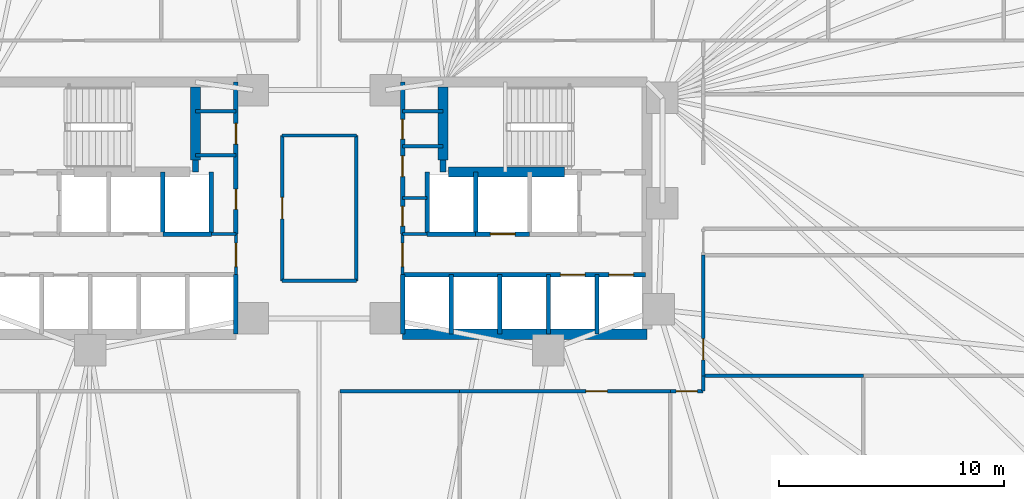
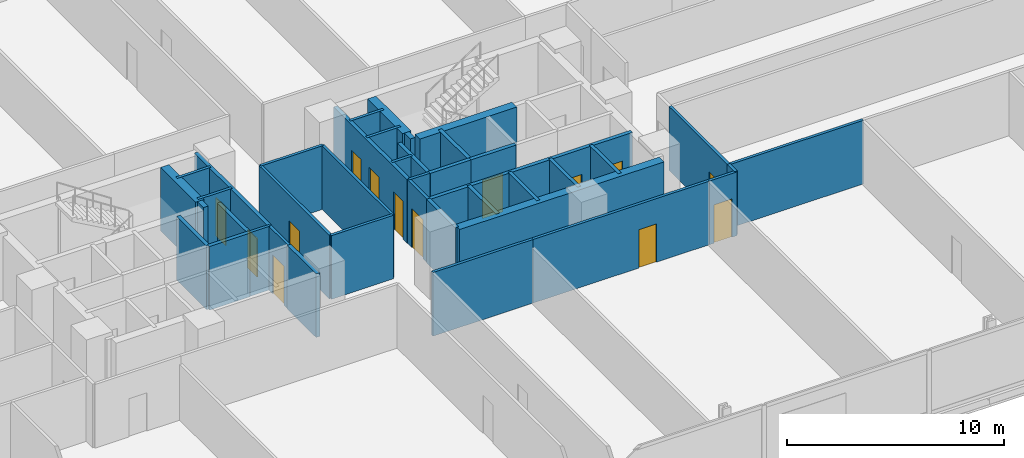
# One storey, part 13 of 17: 41 walls, 14 doors, 14 openings.
"""IFC4 building model written with IfcOpenShell, lengths in metres."""

from ifc_helpers import new_model, si_unit, direction, frame, frame_2d, origin, place, context, subcontext, project, spatial, rectangle, extrude, material, layer, layer_set, type_object, element, fill, save


model = new_model("IFC4")

# Units and contexts
model_context = context("Model", 3, precision=1e-05, world=origin(), true_north=direction((0.0, 1.0)))
body_context = subcontext(model_context, "Body", "Model", "MODEL_VIEW")
ifc_project = project(units=[si_unit("LENGTHUNIT", "METRE"), si_unit("AREAUNIT", "SQUARE_METRE"), si_unit("VOLUMEUNIT", "CUBIC_METRE"), si_unit("PLANEANGLEUNIT", "RADIAN"), si_unit("MASSUNIT", "GRAM", prefix="KILO")], contexts=[model_context])

# Site, building, storey
site_placement = place(None, origin())
site = spatial("IfcSite", under=ifc_project, at=site_placement, CompositionType="ELEMENT")
building_placement = place(site_placement, origin())
building = spatial("IfcBuilding", under=site, at=building_placement, Name="Menara Jurai Vektor", CompositionType="ELEMENT")
storey_placement = place(building_placement, frame((0.0, 0.0, 63.60009765625)))
storey = spatial("IfcBuildingStorey", under=building, at=storey_placement, Name="L15", CompositionType="ELEMENT", Elevation=63.60009765625)

# Walls
ifc_material_1 = material(Name="Concrete C40/50", Category="concrete")
ifc_layer_1 = layer(ifc_material_1, 0.25)
ifc_layer_set_1 = layer_set([ifc_layer_1], Name="Concrete C40/50")
wall_type_1 = type_object("IfcWallType", Name="INT-WALL-CORE-250", PredefinedType="STANDARD", material=ifc_layer_set_1)
for number, where, z_axis, x_axis, name in (
    (1, (-5.5, 1.60009765625, 0.0), (0.0, 0.0, 1.0), (0.0, 1.0, 0.0), "Interior Wall IW-250 L15"),
    (2, (5.5, 1.60009765625, 0.0), (0.0, 0.0, 1.0), (0.0, 1.0, 0.0), "Interior Wall IW-250 L15"),
):
    element("IfcWall", number, at=place(storey_placement, frame(where, z_axis=z_axis, x_axis=x_axis)), inside=storey, type_object=wall_type_1, Name=name, PredefinedType="STANDARD", context=body_context, shape_type="SweptSolid", body=[
        extrude(rectangle(XDim=0.5498046875, YDim=0.25, at=frame_2d((0.27490234375, 0.0))), origin(), (0.0, 0.0, 1.0), 3.574951171875),
    ])

# Wall, opening, door
ifc_material_2 = material(Name="Gypsum Fireboard Partition", Category="gypsum")
ifc_layer_2 = layer(ifc_material_2, 0.14990234375)
ifc_layer_set_2 = layer_set([ifc_layer_2], Name="Gypsum Fireboard Partition")
wall_type_2 = type_object("IfcWallType", Name="INT-WALL-CORR-150", PredefinedType="PARTITIONING", material=ifc_layer_set_2)
wall_1_placement = place(storey_placement, frame((-3.699951171875, -2.949951171875, 0.0), z_axis=(0.0, 0.0, 1.0), x_axis=(0.0, 1.0, 0.0)))
wall_1 = element("IfcWall", 3, at=wall_1_placement, inside=storey, type_object=wall_type_2, Name="Interior Wall IW-150 L15", PredefinedType="PARTITIONING", context=body_context, shape_type="SweptSolid", body=[
    extrude(rectangle(XDim=1.800048828125, YDim=0.14990234375, at=frame_2d((0.89990234375, 0.0))), origin(), (0.0, 0.0, 1.0), 3.574951171875),
])
opening_1_placement = place(wall_1_placement, frame((0.35009765625, 0.0, 0.0)))
opening_1 = element("IfcOpeningElement", 4, at=opening_1_placement, cuts=wall_1, Name="Opening D-L15-LLW", PredefinedType="OPENING", context=body_context, shape_type="SweptSolid", body=[
    extrude(rectangle(XDim=1.050048828125, YDim=2.179931640625, at=frame_2d((0.52490234375, 1.08984375))), frame((0.0, 0.0849609375, 0.0), z_axis=(0.0, -1.0, 0.0), x_axis=(1.0, 0.0, 0.0)), (0.0, 0.0, 1.0), 0.169921875),
])
ifc_material_3 = material(Name="Fire-Rated Timber Door", Category="wood")
door_type_1 = type_object("IfcDoorType", Name="DR-LOBBY-1050", OperationType="NOTDEFINED", PredefinedType="DOOR", material=ifc_material_3)
door_1_placement = place(opening_1_placement, origin())
door_1 = element("IfcDoor", 5, at=door_1_placement, inside=storey, type_object=door_type_1, Name="Lift Lobby Corridor Door W L15", OperationType="SINGLE_SWING_LEFT", OverallHeight=2.179931640625, OverallWidth=1.050048828125, PredefinedType="DOOR", context=body_context, shape_type="SweptSolid", body=[
    extrude(rectangle(XDim=1.050048828125, YDim=2.179931640625, at=frame_2d((0.52490234375, 1.08984375))), frame((0.0, 0.02490234375, 0.0), z_axis=(0.0, -1.0, 0.0), x_axis=(1.0, 0.0, 0.0)), (0.0, 0.0, 1.0), 0.050048828125),
])
fill(opening_1, door_1)

# Wall
wall_2_placement = place(storey_placement, frame((-4.7900390625, -1.14990234375, 0.0), z_axis=(0.0, 0.0, 1.0), x_axis=(1.0, 0.0, 0.0)))
element("IfcWall", 6, at=wall_2_placement, inside=storey, type_object=wall_type_2, Name="Interior Wall IW-150 L15", PredefinedType="PARTITIONING", context=body_context, shape_type="SweptSolid", body=[
    extrude(rectangle(XDim=1.090087890625, YDim=0.14990234375, at=frame_2d((0.544921875, 0.0))), origin(), (0.0, 0.0, 1.0), 3.574951171875),
])

# Wall, opening, door
wall_3_placement = place(storey_placement, frame((3.699951171875, -2.949951171875, 0.0), z_axis=(0.0, 0.0, 1.0), x_axis=(0.0, 1.0, 0.0)))
wall_3 = element("IfcWall", 7, at=wall_3_placement, inside=storey, type_object=wall_type_2, Name="Interior Wall IW-150 L15", PredefinedType="PARTITIONING", context=body_context, shape_type="SweptSolid", body=[
    extrude(rectangle(XDim=1.800048828125, YDim=0.14990234375, at=frame_2d((0.89990234375, 0.0))), origin(), (0.0, 0.0, 1.0), 3.574951171875),
])
opening_2_placement = place(wall_3_placement, frame((0.35009765625, 0.0, 0.0)))
opening_2 = element("IfcOpeningElement", 8, at=opening_2_placement, cuts=wall_3, Name="Opening D-L15-LLE", PredefinedType="OPENING", context=body_context, shape_type="SweptSolid", body=[
    extrude(rectangle(XDim=1.050048828125, YDim=2.179931640625, at=frame_2d((0.52490234375, 1.08984375))), frame((0.0, 0.0849609375, 0.0), z_axis=(0.0, -1.0, 0.0), x_axis=(1.0, 0.0, 0.0)), (0.0, 0.0, 1.0), 0.169921875),
])
door_2_placement = place(opening_2_placement, frame((1.050048828125, 0.0, 0.0), z_axis=(0.0, 0.0, 1.0), x_axis=(-1.0, 0.0, 0.0)))
door_2 = element("IfcDoor", 9, at=door_2_placement, inside=storey, type_object=door_type_1, Name="Lift Lobby Corridor Door E L15", OperationType="SINGLE_SWING_RIGHT", OverallHeight=2.179931640625, OverallWidth=1.050048828125, PredefinedType="DOOR", context=body_context, shape_type="SweptSolid", body=[
    extrude(rectangle(XDim=1.050048828125, YDim=2.179931640625, at=frame_2d((0.52490234375, 1.08984375))), frame((0.0, 0.02490234375, 0.0), z_axis=(0.0, -1.0, 0.0), x_axis=(1.0, 0.0, 0.0)), (0.0, 0.0, 1.0), 0.050048828125),
])
fill(opening_2, door_2)

# Walls
wall_4_placement = place(storey_placement, frame((3.699951171875, -1.14990234375, 0.0), z_axis=(0.0, 0.0, 1.0), x_axis=(1.0, 0.0, 0.0)))
element("IfcWall", 10, at=wall_4_placement, inside=storey, type_object=wall_type_2, Name="Interior Wall IW-150 L15", PredefinedType="PARTITIONING", context=body_context, shape_type="SweptSolid", body=[
    extrude(rectangle(XDim=1.090087890625, YDim=0.14990234375, at=frame_2d((0.544921875, 0.0))), origin(), (0.0, 0.0, 1.0), 3.574951171875),
])
for number, where, z_axis, x_axis, name in (
    (11, (-5.5, 4.300048828125, 0.0), (0.0, 0.0, 1.0), (1.0, 0.0, 0.0), "Interior Wall IW-150 L15"),
    (12, (-5.5, 2.35009765625, 0.0), (0.0, 0.0, 1.0), (1.0, 0.0, 0.0), "Interior Wall IW-150 L15"),
    (13, (3.699951171875, 4.300048828125, 0.0), (0.0, 0.0, 1.0), (1.0, 0.0, 0.0), "Interior Wall IW-150 L15"),
):
    element("IfcWall", number, at=place(storey_placement, frame(where, z_axis=z_axis, x_axis=x_axis)), inside=storey, type_object=wall_type_2, Name=name, PredefinedType="PARTITIONING", context=body_context, shape_type="SweptSolid", body=[
        extrude(rectangle(XDim=1.800048828125, YDim=0.14990234375, at=frame_2d((0.89990234375, 0.0))), origin(), (0.0, 0.0, 1.0), 3.574951171875),
    ])
wall_5_placement = place(storey_placement, frame((3.699951171875, 0.449951171875, 0.0), z_axis=(0.0, 0.0, 1.0), x_axis=(1.0, 0.0, 0.0)))
element("IfcWall", 14, at=wall_5_placement, inside=storey, type_object=wall_type_2, Name="Interior Wall IW-150 L15", PredefinedType="PARTITIONING", context=body_context, shape_type="SweptSolid", body=[
    extrude(rectangle(XDim=1.090087890625, YDim=0.14990234375, at=frame_2d((0.544921875, 0.0))), origin(), (0.0, 0.0, 1.0), 3.574951171875),
])
wall_6_placement = place(storey_placement, frame((3.699951171875, 2.75, 0.0), z_axis=(0.0, 0.0, 1.0), x_axis=(1.0, 0.0, 0.0)))
element("IfcWall", 15, at=wall_6_placement, inside=storey, type_object=wall_type_2, Name="Interior Wall IW-150 L15", PredefinedType="PARTITIONING", context=body_context, shape_type="SweptSolid", body=[
    extrude(rectangle(XDim=1.800048828125, YDim=0.14990234375, at=frame_2d((0.89990234375, 0.0))), origin(), (0.0, 0.0, 1.0), 3.574951171875),
])

# Wall, opening, door
wall_7_placement = place(storey_placement, frame((-1.64990234375, -3.22998046875, 0.0), z_axis=(0.0, 0.0, 1.0), x_axis=(0.0, 1.0, 0.0)))
wall_7 = element("IfcWall", 16, at=wall_7_placement, inside=storey, type_object=wall_type_2, Name="Interior Wall IW-150 L15", PredefinedType="PARTITIONING", context=body_context, shape_type="SweptSolid", body=[
    extrude(rectangle(XDim=6.4599609375, YDim=0.14990234375, at=frame_2d((3.22998046875, 0.0))), origin(), (0.0, 0.0, 1.0), 3.574951171875),
])
opening_3_placement = place(wall_7_placement, frame((2.7548828125, 0.0, 0.0)))
opening_3 = element("IfcOpeningElement", 17, at=opening_3_placement, cuts=wall_7, Name="Opening D15-06", PredefinedType="OPENING", context=body_context, shape_type="SweptSolid", body=[
    extrude(rectangle(XDim=0.949951171875, YDim=2.14990234375, at=frame_2d((0.47509765625, 1.074951171875))), frame((0.0, 0.0849609375, 0.0), z_axis=(0.0, -1.0, 0.0), x_axis=(1.0, 0.0, 0.0)), (0.0, 0.0, 1.0), 0.169921875),
])
ifc_material_4 = material(Name="Solid Core Timber Fire Door", Category="wood")
door_type_2 = type_object("IfcDoorType", Name="DR-ENTRY-950", OperationType="NOTDEFINED", PredefinedType="DOOR", material=ifc_material_4)
door_3_placement = place(opening_3_placement, origin())
door_3 = element("IfcDoor", 18, at=door_3_placement, inside=storey, type_object=door_type_2, Name="Interior Door D15-06", OperationType="SINGLE_SWING_LEFT", OverallHeight=2.14990234375, OverallWidth=0.949951171875, PredefinedType="DOOR", context=body_context, shape_type="SweptSolid", body=[
    extrude(rectangle(XDim=0.949951171875, YDim=2.14990234375, at=frame_2d((0.47509765625, 1.074951171875))), frame((0.0, 0.02490234375, 0.0), z_axis=(0.0, -1.0, 0.0), x_axis=(1.0, 0.0, 0.0)), (0.0, 0.0, 1.0), 0.050048828125),
])
fill(opening_3, door_3)

# Walls
for number, where, z_axis, x_axis, name in (
    (19, (-1.64990234375, -3.22998046875, 0.0), (0.0, 0.0, 1.0), (1.0, 0.0, 0.0), "Interior Wall IW-150 L15"),
    (20, (-1.64990234375, 3.22998046875, 0.0), (0.0, 0.0, 1.0), (1.0, 0.0, 0.0), "Interior Wall IW-150 L15"),
):
    element("IfcWall", number, at=place(storey_placement, frame(where, z_axis=z_axis, x_axis=x_axis)), inside=storey, type_object=wall_type_2, Name=name, PredefinedType="PARTITIONING", context=body_context, shape_type="SweptSolid", body=[
        extrude(rectangle(XDim=3.2998046875, YDim=0.14990234375, at=frame_2d((1.64990234375, 0.0))), origin(), (0.0, 0.0, 1.0), 3.574951171875),
    ])
wall_8_placement = place(storey_placement, frame((1.64990234375, -3.22998046875, 0.0), z_axis=(0.0, 0.0, 1.0), x_axis=(0.0, 1.0, 0.0)))
element("IfcWall", 21, at=wall_8_placement, inside=storey, type_object=wall_type_2, Name="Interior Wall IW-150 L15", PredefinedType="PARTITIONING", context=body_context, shape_type="SweptSolid", body=[
    extrude(rectangle(XDim=6.4599609375, YDim=0.14990234375, at=frame_2d((3.22998046875, 0.0))), origin(), (0.0, 0.0, 1.0), 3.574951171875),
])
wall_9_placement = place(storey_placement, frame((0.919921875, -8.1298828125, 0.0), z_axis=(0.0, 0.0, 1.0), x_axis=(1.0, 0.0, 0.0)))
element("IfcWall", 22, at=wall_9_placement, inside=storey, type_object=wall_type_2, Name="Interior Wall IW-150 L15", PredefinedType="PARTITIONING", context=body_context, shape_type="SweptSolid", body=[
    extrude(rectangle(XDim=5.320068359375, YDim=0.14990234375, at=frame_2d((2.66015625, 0.0))), origin(), (0.0, 0.0, 1.0), 3.574951171875),
])

# Wall, opening, door
wall_10_placement = place(storey_placement, frame((6.239990234375, -8.1298828125, 0.0), z_axis=(0.0, 0.0, 1.0), x_axis=(1.0, 0.0, 0.0)))
wall_10 = element("IfcWall", 23, at=wall_10_placement, inside=storey, type_object=wall_type_2, Name="Interior Wall IW-150 L15", PredefinedType="PARTITIONING", context=body_context, shape_type="SweptSolid", body=[
    extrude(rectangle(XDim=9.360107421875, YDim=0.14990234375, at=frame_2d((4.68017578125, 0.0))), origin(), (0.0, 0.0, 1.0), 3.574951171875),
])
opening_4_placement = place(wall_10_placement, frame((5.60888671875, 0.0, 0.0)))
opening_4 = element("IfcOpeningElement", 24, at=opening_4_placement, cuts=wall_10, Name="Opening D15-16", PredefinedType="OPENING", context=body_context, shape_type="SweptSolid", body=[
    extrude(rectangle(XDim=0.949951171875, YDim=2.14990234375, at=frame_2d((0.47509765625, 1.074951171875))), frame((0.0, 0.0849609375, 0.0), z_axis=(0.0, -1.0, 0.0), x_axis=(1.0, 0.0, 0.0)), (0.0, 0.0, 1.0), 0.169921875),
])
door_4_placement = place(opening_4_placement, origin())
door_4 = element("IfcDoor", 25, at=door_4_placement, inside=storey, type_object=door_type_2, Name="Interior Door D15-16", OperationType="SINGLE_SWING_LEFT", OverallHeight=2.14990234375, OverallWidth=0.949951171875, PredefinedType="DOOR", context=body_context, shape_type="SweptSolid", body=[
    extrude(rectangle(XDim=0.949951171875, YDim=2.14990234375, at=frame_2d((0.47509765625, 1.074951171875))), frame((0.0, 0.02490234375, 0.0), z_axis=(0.0, -1.0, 0.0), x_axis=(1.0, 0.0, 0.0)), (0.0, 0.0, 1.0), 0.050048828125),
])
fill(opening_4, door_4)

wall_11_placement = place(storey_placement, frame((15.60009765625, -8.1298828125, 0.0), z_axis=(0.0, 0.0, 1.0), x_axis=(1.0, 0.0, 0.0)))
wall_11 = element("IfcWall", 26, at=wall_11_placement, inside=storey, type_object=wall_type_2, Name="Interior Wall IW-150 L15", PredefinedType="PARTITIONING", context=body_context, shape_type="SweptSolid", body=[
    extrude(rectangle(XDim=1.458984375, YDim=0.14990234375, at=frame_2d((0.7294921875, 0.0))), origin(), (0.0, 0.0, 1.0), 3.574951171875),
])
opening_5_placement = place(wall_11_placement, frame((0.25439453125, 0.0, 0.0)))
opening_5 = element("IfcOpeningElement", 27, at=opening_5_placement, cuts=wall_11, Name="Opening D15-17", PredefinedType="OPENING", context=body_context, shape_type="SweptSolid", body=[
    extrude(rectangle(XDim=0.949951171875, YDim=2.14990234375, at=frame_2d((0.47509765625, 1.074951171875))), frame((0.0, 0.0849609375, 0.0), z_axis=(0.0, -1.0, 0.0), x_axis=(1.0, 0.0, 0.0)), (0.0, 0.0, 1.0), 0.169921875),
])
door_5_placement = place(opening_5_placement, origin())
door_5 = element("IfcDoor", 28, at=door_5_placement, inside=storey, type_object=door_type_2, Name="Interior Door D15-17", OperationType="SINGLE_SWING_RIGHT", OverallHeight=2.14990234375, OverallWidth=0.949951171875, PredefinedType="DOOR", context=body_context, shape_type="SweptSolid", body=[
    extrude(rectangle(XDim=0.949951171875, YDim=2.14990234375, at=frame_2d((0.47509765625, 1.074951171875))), frame((0.0, 0.02490234375, 0.0), z_axis=(0.0, -1.0, 0.0), x_axis=(1.0, 0.0, 0.0)), (0.0, 0.0, 1.0), 0.050048828125),
])
fill(opening_5, door_5)

# Wall
wall_12_placement = place(storey_placement, frame((17.05908203125, -8.1298828125, 0.0), z_axis=(0.0, 0.0, 1.0), x_axis=(0.0, 1.0, 0.0)))
element("IfcWall", 29, at=wall_12_placement, inside=storey, type_object=wall_type_2, Name="Interior Wall IW-150 L15", PredefinedType="PARTITIONING", context=body_context, shape_type="SweptSolid", body=[
    extrude(rectangle(XDim=0.679931640625, YDim=0.14990234375, at=frame_2d((0.33984375, 0.0))), origin(), (0.0, 0.0, 1.0), 3.574951171875),
])

# Wall, opening, door
wall_13_placement = place(storey_placement, frame((17.05908203125, -7.449951171875, 0.0), z_axis=(0.0, 0.0, 1.0), x_axis=(0.0, 1.0, 0.0)))
wall_13 = element("IfcWall", 30, at=wall_13_placement, inside=storey, type_object=wall_type_2, Name="Interior Wall IW-150 L15", PredefinedType="PARTITIONING", context=body_context, shape_type="SweptSolid", body=[
    extrude(rectangle(XDim=5.364013671875, YDim=0.14990234375, at=frame_2d((2.68212890625, 0.0))), origin(), (0.0, 0.0, 1.0), 3.574951171875),
])
opening_6_placement = place(wall_13_placement, frame((0.705078125, 0.0, 0.0)))
opening_6 = element("IfcOpeningElement", 31, at=opening_6_placement, cuts=wall_13, Name="Opening D15-21", PredefinedType="OPENING", context=body_context, shape_type="SweptSolid", body=[
    extrude(rectangle(XDim=0.949951171875, YDim=2.14990234375, at=frame_2d((0.47509765625, 1.074951171875))), frame((0.0, 0.0849609375, 0.0), z_axis=(0.0, -1.0, 0.0), x_axis=(1.0, 0.0, 0.0)), (0.0, 0.0, 1.0), 0.169921875),
])
door_6_placement = place(opening_6_placement, origin())
door_6 = element("IfcDoor", 32, at=door_6_placement, inside=storey, type_object=door_type_2, Name="Interior Door D15-21", OperationType="SINGLE_SWING_RIGHT", OverallHeight=2.14990234375, OverallWidth=0.949951171875, PredefinedType="DOOR", context=body_context, shape_type="SweptSolid", body=[
    extrude(rectangle(XDim=0.949951171875, YDim=2.14990234375, at=frame_2d((0.47509765625, 1.074951171875))), frame((0.0, 0.02490234375, 0.0), z_axis=(0.0, -1.0, 0.0), x_axis=(1.0, 0.0, 0.0)), (0.0, 0.0, 1.0), 0.050048828125),
])
fill(opening_6, door_6)

# Wall
wall_14_placement = place(storey_placement, frame((17.05908203125, -7.449951171875, 0.0), z_axis=(0.0, 0.0, 1.0), x_axis=(1.0, 0.0, 0.0)))
element("IfcWall", 33, at=wall_14_placement, inside=storey, type_object=wall_type_2, Name="Interior Wall IW-150 L15", PredefinedType="PARTITIONING", context=body_context, shape_type="SweptSolid", body=[
    extrude(rectangle(XDim=7.120849609375, YDim=0.14990234375, at=frame_2d((3.560546875, 0.0))), origin(), (0.0, 0.0, 1.0), 3.574951171875),
])

# Wall, openings, doors
ifc_layer_3 = layer(ifc_material_1, 0.199951171875)
ifc_layer_set_3 = layer_set([ifc_layer_3], Name="Concrete C40/50")
wall_type_3 = type_object("IfcWallType", Name="INT-WALL-SHAFT-200", PredefinedType="STANDARD", material=ifc_layer_set_3)
wall_15_placement = place(storey_placement, frame((-3.699951171875, -1.14990234375, 0.0), z_axis=(0.0, 0.0, 1.0), x_axis=(0.0, 1.0, 0.0)))
wall_15 = element("IfcWall", 34, at=wall_15_placement, inside=storey, type_object=wall_type_3, Name="Interior Wall IW-200 L15", PredefinedType="STANDARD", context=body_context, shape_type="SweptSolid", body=[
    extrude(rectangle(XDim=6.75, YDim=0.199951171875, at=frame_2d((3.375, 0.0))), origin(), (0.0, 0.0, 1.0), 3.574951171875),
])
opening_7_placement = place(wall_15_placement, frame((1.10009765625, 0.0, 0.0)))
opening_7 = element("IfcOpeningElement", 35, at=opening_7_placement, cuts=wall_15, Name="Opening D15-01", PredefinedType="OPENING", context=body_context, shape_type="SweptSolid", body=[
    extrude(rectangle(XDim=0.89990234375, YDim=2.14990234375, at=frame_2d((0.449951171875, 1.074951171875))), frame((0.0, 0.10986328125, 0.0), z_axis=(0.0, -1.0, 0.0), x_axis=(1.0, 0.0, 0.0)), (0.0, 0.0, 1.0), 0.219970703125),
])
opening_8_placement = place(wall_15_placement, frame((4.0, 0.0, 0.0)))
opening_8 = element("IfcOpeningElement", 36, at=opening_8_placement, cuts=wall_15, Name="Opening D15-02", PredefinedType="OPENING", context=body_context, shape_type="SweptSolid", body=[
    extrude(rectangle(XDim=0.919921875, YDim=2.14990234375, at=frame_2d((0.4599609375, 1.074951171875))), frame((0.0, 0.10986328125, 0.0), z_axis=(0.0, -1.0, 0.0), x_axis=(1.0, 0.0, 0.0)), (0.0, 0.0, 1.0), 0.219970703125),
])
door_7_placement = place(opening_7_placement, origin())
door_7 = element("IfcDoor", 37, at=door_7_placement, inside=storey, type_object=door_type_2, Name="Interior Door D15-01", OperationType="SINGLE_SWING_LEFT", OverallHeight=2.14990234375, OverallWidth=0.89990234375, PredefinedType="DOOR", context=body_context, shape_type="SweptSolid", body=[
    extrude(rectangle(XDim=0.89990234375, YDim=2.14990234375, at=frame_2d((0.449951171875, 1.074951171875))), frame((0.0, 0.02490234375, 0.0), z_axis=(0.0, -1.0, 0.0), x_axis=(1.0, 0.0, 0.0)), (0.0, 0.0, 1.0), 0.050048828125),
])
fill(opening_7, door_7)
door_8_placement = place(opening_8_placement, origin())
door_8 = element("IfcDoor", 38, at=door_8_placement, inside=storey, type_object=door_type_2, Name="Interior Door D15-02", OperationType="SINGLE_SWING_LEFT", OverallHeight=2.14990234375, OverallWidth=0.919921875, PredefinedType="DOOR", context=body_context, shape_type="SweptSolid", body=[
    extrude(rectangle(XDim=0.919921875, YDim=2.14990234375, at=frame_2d((0.4599609375, 1.074951171875))), frame((0.0, 0.02490234375, 0.0), z_axis=(0.0, -1.0, 0.0), x_axis=(1.0, 0.0, 0.0)), (0.0, 0.0, 1.0), 0.050048828125),
])
fill(opening_8, door_8)

# Walls
wall_16_placement = place(storey_placement, frame((-3.699951171875, -5.60009765625, 0.0), z_axis=(0.0, 0.0, 1.0), x_axis=(0.0, 1.0, 0.0)))
element("IfcWall", 39, at=wall_16_placement, inside=storey, type_object=wall_type_3, Name="Interior Wall IW-200 L15", PredefinedType="STANDARD", context=body_context, shape_type="SweptSolid", body=[
    extrude(rectangle(XDim=2.650146484375, YDim=0.199951171875, at=frame_2d((1.3251953125, 0.0))), origin(), (0.0, 0.0, 1.0), 3.574951171875),
])
for number, where, z_axis, x_axis, name in (
    (40, (-6.949951171875, -1.14990234375, 0.0), (0.0, 0.0, 1.0), (0.0, 1.0, 0.0), "Interior Wall IW-200 L15"),
    (41, (-4.7900390625, -1.14990234375, 0.0), (0.0, 0.0, 1.0), (0.0, 1.0, 0.0), "Interior Wall IW-200 L15"),
):
    element("IfcWall", number, at=place(storey_placement, frame(where, z_axis=z_axis, x_axis=x_axis)), inside=storey, type_object=wall_type_3, Name=name, PredefinedType="STANDARD", context=body_context, shape_type="SweptSolid", body=[
        extrude(rectangle(XDim=2.75, YDim=0.199951171875, at=frame_2d((1.375, 0.0))), origin(), (0.0, 0.0, 1.0), 3.574951171875),
    ])
wall_17_placement = place(storey_placement, frame((-6.949951171875, -1.14990234375, 0.0), z_axis=(0.0, 0.0, 1.0), x_axis=(1.0, 0.0, 0.0)))
element("IfcWall", 42, at=wall_17_placement, inside=storey, type_object=wall_type_3, Name="Interior Wall IW-200 L15", PredefinedType="STANDARD", context=body_context, shape_type="SweptSolid", body=[
    extrude(rectangle(XDim=2.159912109375, YDim=0.199951171875, at=frame_2d((1.080078125, 0.0))), origin(), (0.0, 0.0, 1.0), 3.574951171875),
])

# Wall, openings, doors
wall_18_placement = place(storey_placement, frame((3.699951171875, -1.14990234375, 0.0), z_axis=(0.0, 0.0, 1.0), x_axis=(0.0, 1.0, 0.0)))
wall_18 = element("IfcWall", 43, at=wall_18_placement, inside=storey, type_object=wall_type_3, Name="Interior Wall IW-200 L15", PredefinedType="STANDARD", context=body_context, shape_type="SweptSolid", body=[
    extrude(rectangle(XDim=6.75, YDim=0.199951171875, at=frame_2d((3.375, 0.0))), origin(), (0.0, 0.0, 1.0), 3.574951171875),
])
opening_9_placement = place(wall_18_placement, frame((0.35009765625, 0.0, 0.0)))
opening_9 = element("IfcOpeningElement", 44, at=opening_9_placement, cuts=wall_18, Name="Opening D15-03", PredefinedType="OPENING", context=body_context, shape_type="SweptSolid", body=[
    extrude(rectangle(XDim=0.8798828125, YDim=2.14990234375, at=frame_2d((0.43994140625, 1.074951171875))), frame((0.0, 0.10986328125, 0.0), z_axis=(0.0, -1.0, 0.0), x_axis=(1.0, 0.0, 0.0)), (0.0, 0.0, 1.0), 0.219970703125),
])
opening_10_placement = place(wall_18_placement, frame((2.550048828125, 0.0, 0.0)))
opening_10 = element("IfcOpeningElement", 45, at=opening_10_placement, cuts=wall_18, Name="Opening D15-04", PredefinedType="OPENING", context=body_context, shape_type="SweptSolid", body=[
    extrude(rectangle(XDim=0.919921875, YDim=2.14990234375, at=frame_2d((0.4599609375, 1.074951171875))), frame((0.0, 0.10986328125, 0.0), z_axis=(0.0, -1.0, 0.0), x_axis=(1.0, 0.0, 0.0)), (0.0, 0.0, 1.0), 0.219970703125),
])
opening_11_placement = place(wall_18_placement, frame((4.219970703125, 0.0, 0.0)))
opening_11 = element("IfcOpeningElement", 46, at=opening_11_placement, cuts=wall_18, Name="Opening D15-05", PredefinedType="OPENING", context=body_context, shape_type="SweptSolid", body=[
    extrude(rectangle(XDim=0.8798828125, YDim=2.14990234375, at=frame_2d((0.43994140625, 1.074951171875))), frame((0.0, 0.10986328125, 0.0), z_axis=(0.0, -1.0, 0.0), x_axis=(1.0, 0.0, 0.0)), (0.0, 0.0, 1.0), 0.219970703125),
])
door_9_placement = place(opening_9_placement, origin())
door_9 = element("IfcDoor", 47, at=door_9_placement, inside=storey, type_object=door_type_2, Name="Interior Door D15-03", OperationType="SINGLE_SWING_RIGHT", OverallHeight=2.14990234375, OverallWidth=0.8798828125, PredefinedType="DOOR", context=body_context, shape_type="SweptSolid", body=[
    extrude(rectangle(XDim=0.8798828125, YDim=2.14990234375, at=frame_2d((0.43994140625, 1.074951171875))), frame((0.0, 0.02490234375, 0.0), z_axis=(0.0, -1.0, 0.0), x_axis=(1.0, 0.0, 0.0)), (0.0, 0.0, 1.0), 0.050048828125),
])
fill(opening_9, door_9)
door_10_placement = place(opening_10_placement, origin())
door_10 = element("IfcDoor", 48, at=door_10_placement, inside=storey, type_object=door_type_2, Name="Interior Door D15-04", OperationType="SINGLE_SWING_RIGHT", OverallHeight=2.14990234375, OverallWidth=0.919921875, PredefinedType="DOOR", context=body_context, shape_type="SweptSolid", body=[
    extrude(rectangle(XDim=0.919921875, YDim=2.14990234375, at=frame_2d((0.4599609375, 1.074951171875))), frame((0.0, 0.02490234375, 0.0), z_axis=(0.0, -1.0, 0.0), x_axis=(1.0, 0.0, 0.0)), (0.0, 0.0, 1.0), 0.050048828125),
])
fill(opening_10, door_10)
door_11_placement = place(opening_11_placement, origin())
door_11 = element("IfcDoor", 49, at=door_11_placement, inside=storey, type_object=door_type_2, Name="Interior Door D15-05", OperationType="SINGLE_SWING_RIGHT", OverallHeight=2.14990234375, OverallWidth=0.8798828125, PredefinedType="DOOR", context=body_context, shape_type="SweptSolid", body=[
    extrude(rectangle(XDim=0.8798828125, YDim=2.14990234375, at=frame_2d((0.43994140625, 1.074951171875))), frame((0.0, 0.02490234375, 0.0), z_axis=(0.0, -1.0, 0.0), x_axis=(1.0, 0.0, 0.0)), (0.0, 0.0, 1.0), 0.050048828125),
])
fill(opening_11, door_11)

# Walls
wall_19_placement = place(storey_placement, frame((3.699951171875, -5.60009765625, 0.0), z_axis=(0.0, 0.0, 1.0), x_axis=(0.0, 1.0, 0.0)))
element("IfcWall", 50, at=wall_19_placement, inside=storey, type_object=wall_type_3, Name="Interior Wall IW-200 L15", PredefinedType="STANDARD", context=body_context, shape_type="SweptSolid", body=[
    extrude(rectangle(XDim=2.650146484375, YDim=0.199951171875, at=frame_2d((1.3251953125, 0.0))), origin(), (0.0, 0.0, 1.0), 3.574951171875),
])
wall_20_placement = place(storey_placement, frame((6.949951171875, -1.14990234375, 0.0), z_axis=(0.0, 0.0, 1.0), x_axis=(0.0, 1.0, 0.0)))
element("IfcWall", 51, at=wall_20_placement, inside=storey, type_object=wall_type_3, Name="Interior Wall IW-200 L15", PredefinedType="STANDARD", context=body_context, shape_type="SweptSolid", body=[
    extrude(rectangle(XDim=2.75, YDim=0.199951171875, at=frame_2d((1.375, 0.0))), origin(), (0.0, 0.0, 1.0), 3.574951171875),
])

# Wall, opening, door
wall_21_placement = place(storey_placement, frame((6.949951171875, -1.14990234375, 0.0), z_axis=(0.0, 0.0, 1.0), x_axis=(1.0, 0.0, 0.0)))
wall_21 = element("IfcWall", 52, at=wall_21_placement, inside=storey, type_object=wall_type_3, Name="Interior Wall IW-200 L15", PredefinedType="STANDARD", context=body_context, shape_type="SweptSolid", body=[
    extrude(rectangle(XDim=2.400146484375, YDim=0.199951171875, at=frame_2d((1.2001953125, 0.0))), origin(), (0.0, 0.0, 1.0), 3.574951171875),
])
opening_12_placement = place(wall_21_placement, frame((0.64990234375, 0.0, 0.0)))
opening_12 = element("IfcOpeningElement", 53, at=opening_12_placement, cuts=wall_21, Name="Opening LD-L15-SVL2", PredefinedType="OPENING", context=body_context, shape_type="SweptSolid", body=[
    extrude(rectangle(XDim=1.10009765625, YDim=2.14990234375, at=frame_2d((0.550048828125, 1.074951171875))), frame((0.0, 0.10986328125, 0.0), z_axis=(0.0, -1.0, 0.0), x_axis=(1.0, 0.0, 0.0)), (0.0, 0.0, 1.0), 0.219970703125),
])
ifc_material_5 = material(Name="Anodised Stainless Sliding Lift Landing Door", Category="steel")
door_type_3 = type_object("IfcDoorType", Name="DR-LIFT-PASS-1100", OperationType="NOTDEFINED", PredefinedType="DOOR", material=ifc_material_5)
door_12_placement = place(opening_12_placement, origin())
door_12 = element("IfcDoor", 54, at=door_12_placement, inside=storey, type_object=door_type_3, Name="Lift Landing Door SVL2 L15", OperationType="SLIDING_TO_RIGHT", OverallHeight=2.14990234375, OverallWidth=1.10009765625, PredefinedType="DOOR", context=body_context, shape_type="SweptSolid", body=[
    extrude(rectangle(XDim=1.10009765625, YDim=2.14990234375, at=frame_2d((0.550048828125, 1.074951171875))), frame((0.0, 0.02490234375, 0.0), z_axis=(0.0, -1.0, 0.0), x_axis=(1.0, 0.0, 0.0)), (0.0, 0.0, 1.0), 0.050048828125),
])
fill(opening_12, door_12)

# Walls
wall_22_placement = place(storey_placement, frame((4.7900390625, -1.14990234375, 0.0), z_axis=(0.0, 0.0, 1.0), x_axis=(0.0, 1.0, 0.0)))
element("IfcWall", 55, at=wall_22_placement, inside=storey, type_object=wall_type_3, Name="Interior Wall IW-200 L15", PredefinedType="STANDARD", context=body_context, shape_type="SweptSolid", body=[
    extrude(rectangle(XDim=2.75, YDim=0.199951171875, at=frame_2d((1.375, 0.0))), origin(), (0.0, 0.0, 1.0), 3.574951171875),
])
wall_23_placement = place(storey_placement, frame((4.7900390625, -1.14990234375, 0.0), z_axis=(0.0, 0.0, 1.0), x_axis=(1.0, 0.0, 0.0)))
element("IfcWall", 56, at=wall_23_placement, inside=storey, type_object=wall_type_3, Name="Interior Wall IW-200 L15", PredefinedType="STANDARD", context=body_context, shape_type="SweptSolid", body=[
    extrude(rectangle(XDim=2.159912109375, YDim=0.199951171875, at=frame_2d((1.080078125, 0.0))), origin(), (0.0, 0.0, 1.0), 3.574951171875),
])

# Wall, openings, doors
wall_24_placement = place(storey_placement, frame((3.699951171875, -2.949951171875, 0.0), z_axis=(0.0, 0.0, 1.0), x_axis=(1.0, 0.0, 0.0)))
wall_24 = element("IfcWall", 57, at=wall_24_placement, inside=storey, type_object=wall_type_3, Name="Interior Wall IW-200 L15", PredefinedType="STANDARD", context=body_context, shape_type="SweptSolid", body=[
    extrude(rectangle(XDim=10.800048828125, YDim=0.199951171875, at=frame_2d((5.39990234375, 0.0))), origin(), (0.0, 0.0, 1.0), 3.574951171875),
])
opening_13_placement = place(wall_24_placement, frame((7.010009765625, 0.0, 0.0)))
opening_13 = element("IfcOpeningElement", 58, at=opening_13_placement, cuts=wall_24, Name="Opening LD-L15-PL3", PredefinedType="OPENING", context=body_context, shape_type="SweptSolid", body=[
    extrude(rectangle(XDim=1.10009765625, YDim=2.14990234375, at=frame_2d((0.550048828125, 1.074951171875))), frame((0.0, 0.10986328125, 0.0), z_axis=(0.0, -1.0, 0.0), x_axis=(1.0, 0.0, 0.0)), (0.0, 0.0, 1.0), 0.219970703125),
])
opening_14_placement = place(wall_24_placement, frame((9.169921875, 0.0, 0.0)))
opening_14 = element("IfcOpeningElement", 59, at=opening_14_placement, cuts=wall_24, Name="Opening LD-L15-PL4", PredefinedType="OPENING", context=body_context, shape_type="SweptSolid", body=[
    extrude(rectangle(XDim=1.10009765625, YDim=2.14990234375, at=frame_2d((0.550048828125, 1.074951171875))), frame((0.0, 0.10986328125, 0.0), z_axis=(0.0, -1.0, 0.0), x_axis=(1.0, 0.0, 0.0)), (0.0, 0.0, 1.0), 0.219970703125),
])
door_13_placement = place(opening_13_placement, origin())
door_13 = element("IfcDoor", 60, at=door_13_placement, inside=storey, type_object=door_type_3, Name="Lift Landing Door PL3 L15", OperationType="SLIDING_TO_RIGHT", OverallHeight=2.14990234375, OverallWidth=1.10009765625, PredefinedType="DOOR", context=body_context, shape_type="SweptSolid", body=[
    extrude(rectangle(XDim=1.10009765625, YDim=2.14990234375, at=frame_2d((0.550048828125, 1.074951171875))), frame((0.0, 0.02490234375, 0.0), z_axis=(0.0, -1.0, 0.0), x_axis=(1.0, 0.0, 0.0)), (0.0, 0.0, 1.0), 0.050048828125),
])
fill(opening_13, door_13)
door_14_placement = place(opening_14_placement, origin())
door_14 = element("IfcDoor", 61, at=door_14_placement, inside=storey, type_object=door_type_3, Name="Lift Landing Door PL4 L15", OperationType="SLIDING_TO_LEFT", OverallHeight=2.14990234375, OverallWidth=1.10009765625, PredefinedType="DOOR", context=body_context, shape_type="SweptSolid", body=[
    extrude(rectangle(XDim=1.10009765625, YDim=2.14990234375, at=frame_2d((0.550048828125, 1.074951171875))), frame((0.0, 0.02490234375, 0.0), z_axis=(0.0, -1.0, 0.0), x_axis=(1.0, 0.0, 0.0)), (0.0, 0.0, 1.0), 0.050048828125),
])
fill(opening_14, door_14)

# Walls
wall_25_placement = place(storey_placement, frame((5.860107421875, -5.60009765625, 0.0), z_axis=(0.0, 0.0, 1.0), x_axis=(0.0, 1.0, 0.0)))
element("IfcWall", 62, at=wall_25_placement, inside=storey, type_object=wall_type_3, Name="Interior Wall IW-200 L15", PredefinedType="STANDARD", context=body_context, shape_type="SweptSolid", body=[
    extrude(rectangle(XDim=2.650146484375, YDim=0.199951171875, at=frame_2d((1.3251953125, 0.0))), origin(), (0.0, 0.0, 1.0), 3.574951171875),
])
for number, where, z_axis, x_axis, name in (
    (63, (12.340087890625, -5.60009765625, 0.0), (0.0, 0.0, 1.0), (0.0, 1.0, 0.0), "Interior Wall IW-200 L15"),
    (64, (10.179931640625, -5.60009765625, 0.0), (0.0, 0.0, 1.0), (0.0, 1.0, 0.0), "Interior Wall IW-200 L15"),
    (65, (8.02001953125, -5.60009765625, 0.0), (0.0, 0.0, 1.0), (0.0, 1.0, 0.0), "Interior Wall IW-200 L15"),
):
    element("IfcWall", number, at=place(storey_placement, frame(where, z_axis=z_axis, x_axis=x_axis)), inside=storey, type_object=wall_type_3, Name=name, PredefinedType="STANDARD", context=body_context, shape_type="SweptSolid", body=[
        extrude(rectangle(XDim=2.650146484375, YDim=0.179931640625, at=frame_2d((1.3251953125, 0.0))), origin(), (0.0, 0.0, 1.0), 3.574951171875),
    ])
ifc_material_6 = material(Name="Concrete C60/75", Category="concrete")
ifc_layer_4 = layer(ifc_material_6, 0.449951171875)
ifc_layer_set_4 = layer_set([ifc_layer_4], Name="Concrete C60/75")
wall_type_4 = type_object("IfcWallType", Name="STR-WALL-CORE450", PredefinedType="SHEAR", material=ifc_layer_set_4)
wall_26_placement = place(storey_placement, frame((-5.5, 2.14990234375, 0.0), z_axis=(0.0, 0.0, 1.0), x_axis=(0.0, 1.0, 0.0)))
element("IfcWall", 66, at=wall_26_placement, inside=storey, type_object=wall_type_4, Name="Core Shear Wall CW-W-ST L15", PredefinedType="SHEAR", context=body_context, shape_type="SweptSolid", body=[
    extrude(rectangle(XDim=3.22509765625, YDim=0.449951171875, at=frame_2d((1.612548828125, 0.0))), origin(), (0.0, 0.0, 1.0), 3.574951171875),
])
wall_27_placement = place(storey_placement, frame((3.699951171875, -5.60009765625, 0.0), z_axis=(0.0, 0.0, 1.0), x_axis=(1.0, 0.0, 0.0)))
element("IfcWall", 67, at=wall_27_placement, inside=storey, type_object=wall_type_4, Name="Core Shear Wall CW-E-S L15", PredefinedType="SHEAR", context=body_context, shape_type="SweptSolid", body=[
    extrude(rectangle(XDim=10.860107421875, YDim=0.449951171875, at=frame_2d((5.43017578125, 0.0))), origin(), (0.0, 0.0, 1.0), 3.574951171875),
])
wall_28_placement = place(storey_placement, frame((5.5, 2.14990234375, 0.0), z_axis=(0.0, 0.0, 1.0), x_axis=(0.0, 1.0, 0.0)))
element("IfcWall", 68, at=wall_28_placement, inside=storey, type_object=wall_type_4, Name="Core Shear Wall CW-E-ST L15", PredefinedType="SHEAR", context=body_context, shape_type="SweptSolid", body=[
    extrude(rectangle(XDim=3.22509765625, YDim=0.449951171875, at=frame_2d((1.612548828125, 0.0))), origin(), (0.0, 0.0, 1.0), 3.574951171875),
])
wall_29_placement = place(storey_placement, frame((5.75, 1.60009765625, 0.0), z_axis=(0.0, 0.0, 1.0), x_axis=(1.0, 0.0, 0.0)))
element("IfcWall", 69, at=wall_29_placement, inside=storey, type_object=wall_type_4, Name="Core Shear Wall CW-E-STS L15", PredefinedType="SHEAR", context=body_context, shape_type="SweptSolid", body=[
    extrude(rectangle(XDim=5.14990234375, YDim=0.449951171875, at=frame_2d((2.574951171875, 0.0))), origin(), (0.0, 0.0, 1.0), 3.574951171875),
])

save(model, "model.ifc")
